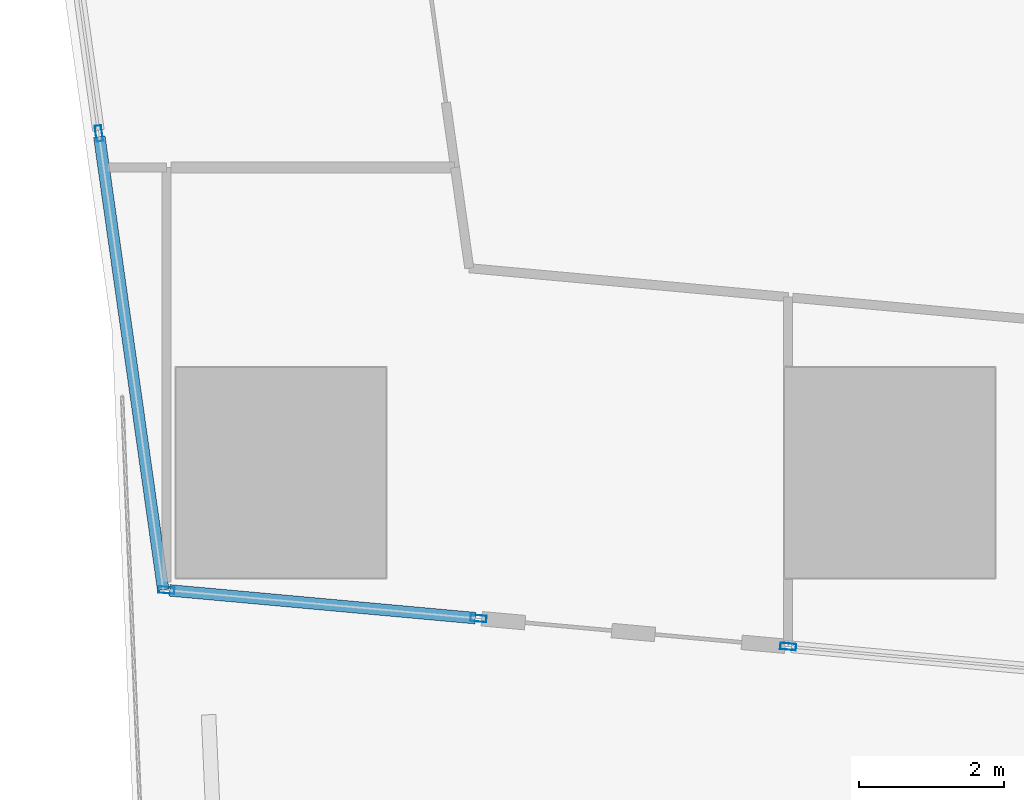
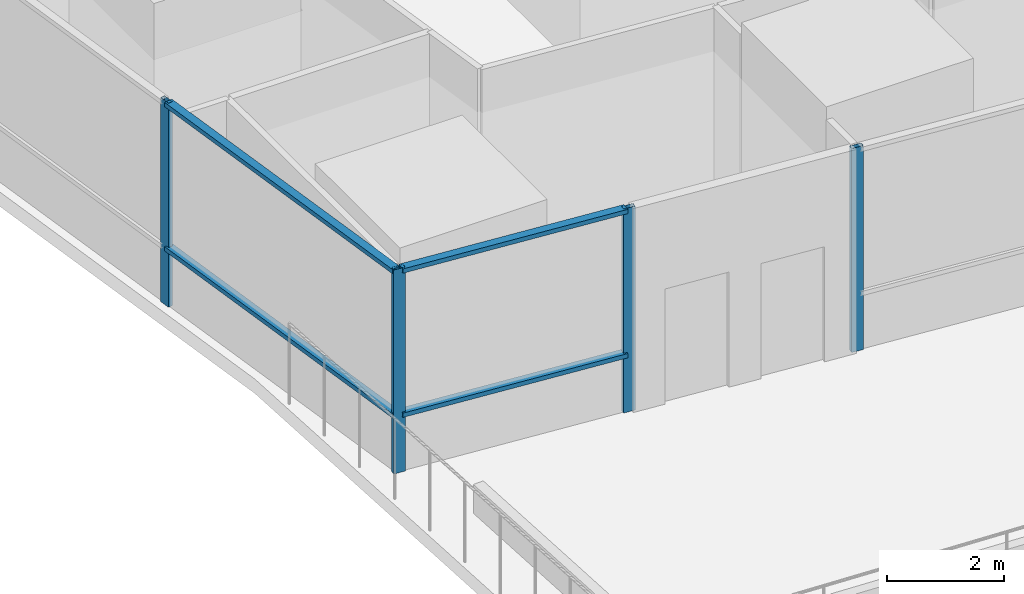
# One storey, part 2 of 44: 8 members, 3 elements without a shape of their own.
"""IFC4 building model written with IfcOpenShell, lengths in metres."""

from ifc_helpers import new_model, si_unit, direction, frame, origin, origin_2d, place, context, subcontext, project, spatial, hollow_rectangle, extrude, material, material_profile, profile_set, type_object, element, aggregate, save


model = new_model("IFC4")

# Units and contexts
model_context = context("Model", 3, precision=1e-05, world=origin(), true_north=direction((0.0, 1.0)))
body_context = subcontext(model_context, "Body", "Model", "MODEL_VIEW")
ifc_project = project(units=[si_unit("LENGTHUNIT", "METRE"), si_unit("AREAUNIT", "SQUARE_METRE"), si_unit("VOLUMEUNIT", "CUBIC_METRE"), si_unit("PLANEANGLEUNIT", "RADIAN"), si_unit("MASSUNIT", "GRAM", prefix="KILO")], contexts=[model_context])

# Site, building, storey
site_placement = place(None, origin())
site = spatial("IfcSite", under=ifc_project, at=site_placement, CompositionType="ELEMENT")
building_placement = place(site_placement, origin())
building = spatial("IfcBuilding", under=site, at=building_placement, Name="Rekha Terrace Tower", CompositionType="ELEMENT")
storey_placement = place(building_placement, frame((0.0, 0.0, 90.800048828125)))
storey = spatial("IfcBuildingStorey", under=building, at=storey_placement, Name="L22", CompositionType="ELEMENT", Elevation=90.800048828125)

# Curtain wall, members
ifc_material_1 = material(Name="Aluminium framing", Category="aluminium")
curtain_wall_type = type_object("IfcCurtainWallType", Name="CW5 sky garden glazing", PredefinedType="USERDEFINED", material=ifc_material_1)
curtain_wall_1_placement = place(storey_placement, origin())
curtain_wall_1 = element("IfcCurtainWall", 1, at=curtain_wall_1_placement, inside=storey, type_object=curtain_wall_type, Name="CW5 sky garden curtain wall", ObjectType="SKY GARDEN CURTAIN WALL", PredefinedType="USERDEFINED")
ifc_material_2 = material(Name="Aluminium mullion section", Category="aluminium")
ifc_material_profile_1 = material_profile(ifc_material_2, hollow_rectangle(XDim=0.090087890625, YDim=0.219970703125, WallThickness=0.00390625, at=origin_2d()), Name="AL RHS 90x220")
ifc_profile_set_1 = profile_set([ifc_material_profile_1], Name="Aluminium mullion section")
member_type_1 = type_object("IfcMemberType", Name="CW5 mullion RHS 90 x 220", PredefinedType="MULLION", material=ifc_profile_set_1)
member_1_placement = place(storey_placement, frame((6.82080078125, 15.1806640625, 0.0), z_axis=(0.0, 0.0, 1.0), x_axis=(0.090439811433, 0.995901923137, 0.0)))
member_1 = element("IfcMember", 2, at=member_1_placement, type_object=member_type_1, Name="CW5 mullion 1", PredefinedType="MULLION", context=body_context, shape_type="SweptSolid", body=[
    extrude(hollow_rectangle(XDim=0.090087890625, YDim=0.219970703125, WallThickness=0.00390625, at=origin_2d()), origin(), (0.0, 0.0, 1.0), 4.25),
])
member_2_placement = place(storey_placement, frame((11.125732421875, 14.789794921875, 0.0), z_axis=(0.0, 0.0, 1.0), x_axis=(0.090439811433, 0.995901923137, 0.0)))
member_2 = element("IfcMember", 3, at=member_2_placement, type_object=member_type_1, Name="CW5 mullion 2", PredefinedType="MULLION", context=body_context, shape_type="SweptSolid", body=[
    extrude(hollow_rectangle(XDim=0.090087890625, YDim=0.219970703125, WallThickness=0.00390625, at=origin_2d()), origin(), (0.0, 0.0, 1.0), 4.25),
])

# Curtain wall, member
curtain_wall_2_placement = place(storey_placement, origin())
curtain_wall_2 = element("IfcCurtainWall", 4, at=curtain_wall_2_placement, inside=storey, type_object=curtain_wall_type, Name="CW5 sky garden curtain wall", ObjectType="SKY GARDEN CURTAIN WALL", PredefinedType="USERDEFINED")
member_3_placement = place(storey_placement, frame((15.398193359375, 14.40185546875, 0.0), z_axis=(0.0, 0.0, 1.0), x_axis=(0.090439811329, 0.995901923146, 0.0)))
member_3 = element("IfcMember", 5, at=member_3_placement, type_object=member_type_1, Name="CW5 mullion 1", PredefinedType="MULLION", context=body_context, shape_type="SweptSolid", body=[
    extrude(hollow_rectangle(XDim=0.090087890625, YDim=0.219970703125, WallThickness=0.00390625, at=origin_2d()), origin(), (0.0, 0.0, 1.0), 4.25),
])
aggregate(curtain_wall_2, [member_3])

curtain_wall_3_placement = place(storey_placement, origin())
curtain_wall_3 = element("IfcCurtainWall", 6, at=curtain_wall_3_placement, inside=storey, type_object=curtain_wall_type, Name="CW5 sky garden curtain wall", ObjectType="SKY GARDEN CURTAIN WALL", PredefinedType="USERDEFINED")
member_4_placement = place(storey_placement, frame((5.888427734375, 21.480712890625, 0.0), z_axis=(0.0, 0.0, 1.0), x_axis=(0.990208394312, 0.139597048082, 0.0)))
member_4 = element("IfcMember", 7, at=member_4_placement, type_object=member_type_1, Name="CW5 mullion 2", PredefinedType="MULLION", context=body_context, shape_type="SweptSolid", body=[
    extrude(hollow_rectangle(XDim=0.090087890625, YDim=0.219970703125, WallThickness=0.00390625, at=origin_2d()), origin(), (0.0, 0.0, 1.0), 4.25),
])

# Member
ifc_material_3 = material(Name="Aluminium transom section", Category="aluminium")
ifc_material_profile_2 = material_profile(ifc_material_3, hollow_rectangle(XDim=0.159912109375, YDim=0.090087890625, WallThickness=0.0029296875, at=origin_2d()), Name="AL RHS 160x90")
ifc_profile_set_2 = profile_set([ifc_material_profile_2], Name="Aluminium transom section")
member_type_2 = type_object("IfcMemberType", Name="CW5 transom RHS 90 x 160", PredefinedType="USERDEFINED", material=ifc_profile_set_2)
member_5_placement = place(storey_placement, frame((6.865478515625, 15.1767578125, 1.199951171875), z_axis=(0.99590218399, -0.09043693893, 0.0), x_axis=(0.09043693893, 0.99590218399, 0.0)))
member_5 = element("IfcMember", 8, at=member_5_placement, type_object=member_type_2, Name="CW5 transom 1.2", ObjectType="TRANSOM", PredefinedType="USERDEFINED", context=body_context, shape_type="SweptSolid", body=[
    extrude(hollow_rectangle(XDim=0.159912109375, YDim=0.090087890625, WallThickness=0.0029296875, at=origin_2d()), origin(), (0.0, 0.0, 1.0), 4.23291015625),
])

member_6_placement = place(storey_placement, frame((6.865478515625, 15.1767578125, 4.204833984375), z_axis=(0.99590218399, -0.09043693893, 0.0), x_axis=(0.09043693893, 0.99590218399, 0.0)))
member_6 = element("IfcMember", 9, at=member_6_placement, type_object=member_type_2, Name="CW5 transom 1.3", ObjectType="TRANSOM", PredefinedType="USERDEFINED", context=body_context, shape_type="SweptSolid", body=[
    extrude(hollow_rectangle(XDim=0.159912109375, YDim=0.090087890625, WallThickness=0.0029296875, at=origin_2d()), origin(), (0.0, 0.0, 1.0), 4.23291015625),
])

aggregate(curtain_wall_1, [member_1, member_2, member_5, member_6])

member_7_placement = place(storey_placement, frame((5.89453125, 21.43603515625, 1.199951171875), z_axis=(0.13960738307, -0.990206937257, 0.0), x_axis=(0.990206937257, 0.13960738307, 0.0)))
member_7 = element("IfcMember", 10, at=member_7_placement, type_object=member_type_2, Name="CW5 transom 2.2", ObjectType="TRANSOM", PredefinedType="USERDEFINED", context=body_context, shape_type="SweptSolid", body=[
    extrude(hollow_rectangle(XDim=0.159912109375, YDim=0.090087890625, WallThickness=0.0029296875, at=origin_2d()), origin(), (0.0, 0.0, 1.0), 6.31298828125),
])

member_8_placement = place(storey_placement, frame((5.89453125, 21.43603515625, 4.204833984375), z_axis=(0.13960738307, -0.990206937257, 0.0), x_axis=(0.990206937257, 0.13960738307, 0.0)))
member_8 = element("IfcMember", 11, at=member_8_placement, type_object=member_type_2, Name="CW5 transom 2.3", ObjectType="TRANSOM", PredefinedType="USERDEFINED", context=body_context, shape_type="SweptSolid", body=[
    extrude(hollow_rectangle(XDim=0.159912109375, YDim=0.090087890625, WallThickness=0.0029296875, at=origin_2d()), origin(), (0.0, 0.0, 1.0), 6.31298828125),
])

aggregate(curtain_wall_3, [member_4, member_7, member_8])

save(model, "model.ifc")
